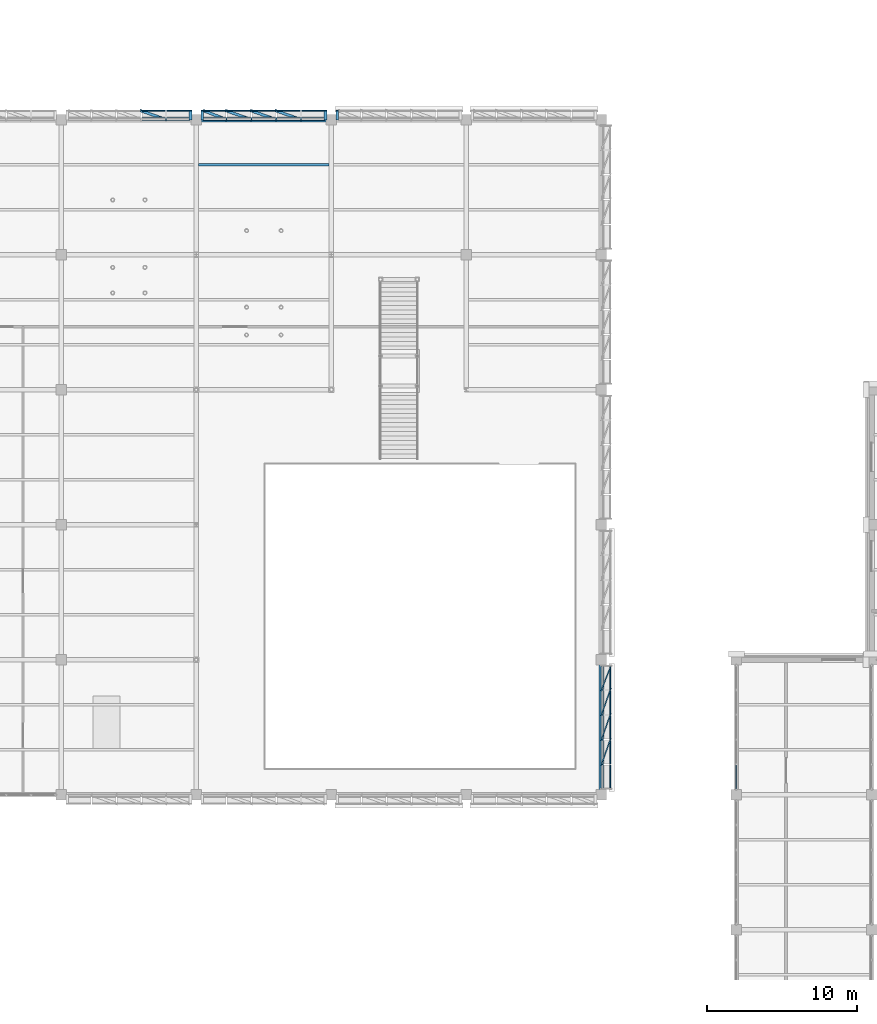
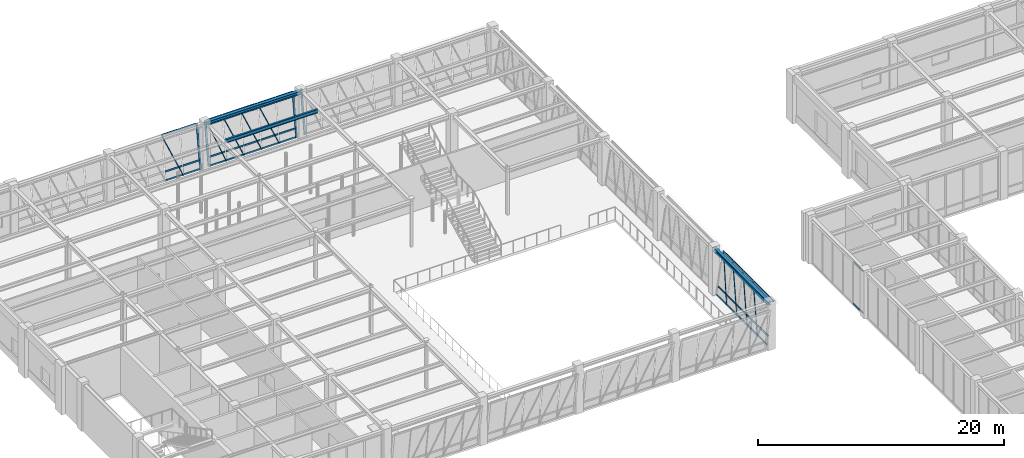
# One storey, part 56 of 92: 51 members, 3 beams, 5 elements without a shape of their own.
"""IFC4 building model written with IfcOpenShell, lengths in metres."""

from ifc_helpers import new_model, si_unit, direction, frame, origin, origin_2d, place, context, subcontext, project, spatial, hollow_rectangle, i_section, extrude, material, material_profile, profile_set, type_object, element, aggregate, save


model = new_model("IFC4")

# Units and contexts
model_context = context("Model", 3, precision=1e-05, world=origin(), true_north=direction((0.0, 1.0)))
body_context = subcontext(model_context, "Body", "Model", "MODEL_VIEW")
ifc_project = project(units=[si_unit("LENGTHUNIT", "METRE"), si_unit("AREAUNIT", "SQUARE_METRE"), si_unit("VOLUMEUNIT", "CUBIC_METRE"), si_unit("PLANEANGLEUNIT", "RADIAN"), si_unit("MASSUNIT", "GRAM", prefix="KILO")], contexts=[model_context])

# Site, building, storey
site_placement = place(None, origin())
site = spatial("IfcSite", under=ifc_project, at=site_placement, CompositionType="ELEMENT")
building_placement = place(site_placement, origin())
building = spatial("IfcBuilding", under=site, at=building_placement, Name="Lykobir Media Centre", CompositionType="ELEMENT")
storey_placement = place(building_placement, frame((0.0, 0.0, 5.39990234375)))
storey = spatial("IfcBuildingStorey", under=building, at=storey_placement, Name="L01", CompositionType="ELEMENT", Elevation=5.39990234375)

# Curtain wall, members
ifc_material_1 = material(Name="Anodized Aluminium AW-6060", Category="aluminium")
curtain_wall_type_1 = type_object("IfcCurtainWallType", Name="CW-V6-CR1", PredefinedType="NOTDEFINED", material=ifc_material_1)
curtain_wall_1_placement = place(storey_placement, origin())
curtain_wall_1 = element("IfcCurtainWall", 1, at=curtain_wall_1_placement, inside=storey, type_object=curtain_wall_type_1, Name="Curtain wall CW2-L01-0058", PredefinedType="NOTDEFINED")
ifc_material_profile_1 = material_profile(ifc_material_1, hollow_rectangle(XDim=0.074951171875, YDim=0.179931640625, WallThickness=0.00390625, at=origin_2d()), Name="ALU MULLION 75x180")
ifc_profile_set_1 = profile_set([ifc_material_profile_1], Name="Anodized Aluminium AW-6060")
member_type_1 = type_object("IfcMemberType", Name="CWM-180", PredefinedType="MULLION", material=ifc_profile_set_1)
member_1_placement = place(storey_placement, frame((81.0, 65.012939453125, 0.0), z_axis=(0.132237817099, 0.374602604658, 0.917706951217), x_axis=(0.942970475976, -0.332876375608, 0.0)))
member_1 = element("IfcMember", 2, at=member_1_placement, type_object=member_type_1, Name="CW2-L01-0058 mullion 2", PredefinedType="MULLION", context=body_context, shape_type="SweptSolid", body=[
    extrude(hollow_rectangle(XDim=0.074951171875, YDim=0.179931640625, WallThickness=0.00390625, at=origin_2d()), origin(), (0.0, 0.0, 1.0), 4.5712890625),
])
member_2_placement = place(storey_placement, frame((81.0, 66.6708984375, 0.0), z_axis=(0.132237817099, 0.374602604658, 0.917706951217), x_axis=(0.942970475976, -0.332876375608, 0.0)))
member_2 = element("IfcMember", 3, at=member_2_placement, type_object=member_type_1, Name="CW2-L01-0058 mullion 3", PredefinedType="MULLION", context=body_context, shape_type="SweptSolid", body=[
    extrude(hollow_rectangle(XDim=0.074951171875, YDim=0.179931640625, WallThickness=0.00390625, at=origin_2d()), origin(), (0.0, 0.0, 1.0), 4.5712890625),
])
member_3_placement = place(storey_placement, frame((81.0, 68.3291015625, 0.0), z_axis=(0.132237817099, 0.374602604658, 0.917706951217), x_axis=(0.942970475976, -0.332876375608, 0.0)))
member_3 = element("IfcMember", 4, at=member_3_placement, type_object=member_type_1, Name="CW2-L01-0058 mullion 4", PredefinedType="MULLION", context=body_context, shape_type="SweptSolid", body=[
    extrude(hollow_rectangle(XDim=0.074951171875, YDim=0.179931640625, WallThickness=0.00390625, at=origin_2d()), origin(), (0.0, 0.0, 1.0), 4.5712890625),
])
member_4_placement = place(storey_placement, frame((81.0, 69.987060546875, 0.0), z_axis=(0.133993559544, 0.34256027137, 0.929891491777), x_axis=(0.931290526487, -0.364277305463, 0.0)))
member_4 = element("IfcMember", 5, at=member_4_placement, type_object=member_type_1, Name="CW2-L01-0058 mullion 5", PredefinedType="MULLION", context=body_context, shape_type="SweptSolid", body=[
    extrude(hollow_rectangle(XDim=0.074951171875, YDim=0.179931640625, WallThickness=0.00390625, at=origin_2d()), origin(), (0.0, 0.0, 1.0), 4.511474609375),
])

curtain_wall_2_placement = place(storey_placement, origin())
curtain_wall_2 = element("IfcCurtainWall", 6, at=curtain_wall_2_placement, inside=storey, type_object=curtain_wall_type_1, Name="Curtain wall CW2-L01-0064", PredefinedType="NOTDEFINED")
member_5_placement = place(storey_placement, frame((53.607421875, 108.0, 0.0), z_axis=(0.0, 0.142622832142, 0.989777110137), x_axis=(0.0, 0.989777110137, -0.142622832142)))
member_5 = element("IfcMember", 7, at=member_5_placement, type_object=member_type_1, Name="CW2-L01-0064 mullion 1", PredefinedType="MULLION", context=body_context, shape_type="SweptSolid", body=[
    extrude(hollow_rectangle(XDim=0.074951171875, YDim=0.179931640625, WallThickness=0.00390625, at=origin_2d()), origin(), (0.0, 0.0, 1.0), 4.23828125),
])
member_6_placement = place(storey_placement, frame((51.987060546875, 108.0, 0.0), z_axis=(-0.374602604658, 0.132237817099, 0.917706951217), x_axis=(-0.865370560596, 0.305482963792, -0.39725804169)))
member_6 = element("IfcMember", 8, at=member_6_placement, type_object=member_type_1, Name="CW2-L01-0064 mullion 2", PredefinedType="MULLION", context=body_context, shape_type="SweptSolid", body=[
    extrude(hollow_rectangle(XDim=0.074951171875, YDim=0.179931640625, WallThickness=0.00390625, at=origin_2d()), origin(), (0.0, 0.0, 1.0), 4.5712890625),
])

curtain_wall_3_placement = place(storey_placement, origin())
curtain_wall_3 = element("IfcCurtainWall", 9, at=curtain_wall_3_placement, inside=storey, type_object=curtain_wall_type_1, Name="Curtain wall CW2-L01-0065", PredefinedType="NOTDEFINED")
member_7_placement = place(storey_placement, frame((62.607421875, 108.0, 0.0), z_axis=(0.0, 0.142622832142, 0.989777110137), x_axis=(0.0, 0.989777110137, -0.142622832142)))
member_7 = element("IfcMember", 10, at=member_7_placement, type_object=member_type_1, Name="CW2-L01-0065 mullion 1", PredefinedType="MULLION", context=body_context, shape_type="SweptSolid", body=[
    extrude(hollow_rectangle(XDim=0.074951171875, YDim=0.179931640625, WallThickness=0.00390625, at=origin_2d()), origin(), (0.0, 0.0, 1.0), 4.23828125),
])
member_8_placement = place(storey_placement, frame((60.987060546875, 108.0, 0.0), z_axis=(-0.374602604658, 0.132237817099, 0.917706951217), x_axis=(-0.865370560596, 0.305482963792, -0.39725804169)))
member_8 = element("IfcMember", 11, at=member_8_placement, type_object=member_type_1, Name="CW2-L01-0065 mullion 2", PredefinedType="MULLION", context=body_context, shape_type="SweptSolid", body=[
    extrude(hollow_rectangle(XDim=0.074951171875, YDim=0.179931640625, WallThickness=0.00390625, at=origin_2d()), origin(), (0.0, 0.0, 1.0), 4.5712890625),
])
member_9_placement = place(storey_placement, frame((59.3291015625, 108.0, 0.0), z_axis=(-0.374602604658, 0.132237817099, 0.917706951217), x_axis=(-0.865370560596, 0.305482963792, -0.39725804169)))
member_9 = element("IfcMember", 12, at=member_9_placement, type_object=member_type_1, Name="CW2-L01-0065 mullion 3", PredefinedType="MULLION", context=body_context, shape_type="SweptSolid", body=[
    extrude(hollow_rectangle(XDim=0.074951171875, YDim=0.179931640625, WallThickness=0.00390625, at=origin_2d()), origin(), (0.0, 0.0, 1.0), 4.5712890625),
])
member_10_placement = place(storey_placement, frame((57.6708984375, 108.0, 0.0), z_axis=(-0.374602604658, 0.132237817099, 0.917706951217), x_axis=(-0.865370560596, 0.305482963792, -0.39725804169)))
member_10 = element("IfcMember", 13, at=member_10_placement, type_object=member_type_1, Name="CW2-L01-0065 mullion 4", PredefinedType="MULLION", context=body_context, shape_type="SweptSolid", body=[
    extrude(hollow_rectangle(XDim=0.074951171875, YDim=0.179931640625, WallThickness=0.00390625, at=origin_2d()), origin(), (0.0, 0.0, 1.0), 4.5712890625),
])
member_11_placement = place(storey_placement, frame((56.012939453125, 108.0, 0.0), z_axis=(-0.34256027137, 0.133993559544, 0.929891491777), x_axis=(-0.865999136953, 0.338738366998, -0.367833948298)))
member_11 = element("IfcMember", 14, at=member_11_placement, type_object=member_type_1, Name="CW2-L01-0065 mullion 5", PredefinedType="MULLION", context=body_context, shape_type="SweptSolid", body=[
    extrude(hollow_rectangle(XDim=0.074951171875, YDim=0.179931640625, WallThickness=0.00390625, at=origin_2d()), origin(), (0.0, 0.0, 1.0), 4.511474609375),
])
member_12_placement = place(storey_placement, frame((54.392578125, 108.0, 0.0), z_axis=(0.0, 0.142622832142, 0.989777110137), x_axis=(0.0, 0.989777110137, -0.142622832142)))
member_12 = element("IfcMember", 15, at=member_12_placement, type_object=member_type_1, Name="CW2-L01-0065 mullion 6", PredefinedType="MULLION", context=body_context, shape_type="SweptSolid", body=[
    extrude(hollow_rectangle(XDim=0.074951171875, YDim=0.179931640625, WallThickness=0.00390625, at=origin_2d()), origin(), (0.0, 0.0, 1.0), 4.23828125),
])

# Curtain wall, member
curtain_wall_4_placement = place(storey_placement, origin())
curtain_wall_4 = element("IfcCurtainWall", 16, at=curtain_wall_4_placement, inside=storey, type_object=curtain_wall_type_1, Name="Curtain wall CW2-L01-0066", PredefinedType="NOTDEFINED")
member_13_placement = place(storey_placement, frame((63.392578125, 108.0, 0.0), z_axis=(0.0, 0.142622832142, 0.989777110137), x_axis=(0.0, 0.989777110137, -0.142622832142)))
member_13 = element("IfcMember", 17, at=member_13_placement, type_object=member_type_1, Name="CW2-L01-0066 mullion 6", PredefinedType="MULLION", context=body_context, shape_type="SweptSolid", body=[
    extrude(hollow_rectangle(XDim=0.074951171875, YDim=0.179931640625, WallThickness=0.00390625, at=origin_2d()), origin(), (0.0, 0.0, 1.0), 4.23828125),
])
aggregate(curtain_wall_4, [member_13])

# Curtain wall, members
curtain_wall_type_2 = type_object("IfcCurtainWallType", Name="CW-BRIDGE", PredefinedType="NOTDEFINED", material=ifc_material_1)
curtain_wall_5_placement = place(storey_placement, origin())
curtain_wall_5 = element("IfcCurtainWall", 18, at=curtain_wall_5_placement, inside=storey, type_object=curtain_wall_type_2, Name="Curtain wall CW2-L01-0042", PredefinedType="NOTDEFINED")
ifc_material_profile_2 = material_profile(ifc_material_1, hollow_rectangle(XDim=0.06494140625, YDim=0.1201171875, WallThickness=0.0029296875, at=origin_2d()), Name="ALU TRANSOM 65x120")
ifc_profile_set_2 = profile_set([ifc_material_profile_2], Name="Anodized Aluminium AW-6060")
member_type_2 = type_object("IfcMemberType", Name="CWT-120", PredefinedType="USERDEFINED", material=ifc_profile_set_2)
member_14_placement = place(storey_placement, frame((90.0, 63.419921875, 0.03271484375), z_axis=(0.0, 1.0, 0.0), x_axis=(-1.0, 0.0, 0.0)))
member_14 = element("IfcMember", 19, at=member_14_placement, type_object=member_type_2, Name="CW2-L01-0042 transom 1.1", ObjectType="TRANSOM", PredefinedType="USERDEFINED", context=body_context, shape_type="SweptSolid", body=[
    extrude(hollow_rectangle(XDim=0.06494140625, YDim=0.1201171875, WallThickness=0.0029296875, at=origin_2d()), origin(), (0.0, 0.0, 1.0), 1.560546875),
])
member_15_placement = place(storey_placement, frame((90.0, 63.419921875, 4.16259765625), z_axis=(0.0, 1.0, 0.0), x_axis=(-1.0, 0.0, 0.0)))
member_15 = element("IfcMember", 20, at=member_15_placement, type_object=member_type_2, Name="CW2-L01-0042 transom 1.2", ObjectType="TRANSOM", PredefinedType="USERDEFINED", context=body_context, shape_type="SweptSolid", body=[
    extrude(hollow_rectangle(XDim=0.06494140625, YDim=0.1201171875, WallThickness=0.0029296875, at=origin_2d()), origin(), (0.0, 0.0, 1.0), 1.560546875),
])
aggregate(curtain_wall_5, [member_14, member_15])

# Member
ifc_material_profile_3 = material_profile(ifc_material_1, hollow_rectangle(XDim=0.074951171875, YDim=0.14990234375, WallThickness=0.00341796875, at=origin_2d()), Name="ALU TRANSOM 75x150")
ifc_profile_set_3 = profile_set([ifc_material_profile_3], Name="Anodized Aluminium AW-6060")
member_type_3 = type_object("IfcMemberType", Name="CWT-150", PredefinedType="USERDEFINED", material=ifc_profile_set_3)
member_16_placement = place(storey_placement, frame((81.00537109375, 63.429931640625, 0.037109375), z_axis=(0.0, 1.0, 0.0), x_axis=(-0.989776230908, 0.0, 0.142628933706)))
member_16 = element("IfcMember", 21, at=member_16_placement, type_object=member_type_3, Name="CW2-L01-0058 transom 1.1", ObjectType="TRANSOM", PredefinedType="USERDEFINED", context=body_context, shape_type="SweptSolid", body=[
    extrude(hollow_rectangle(XDim=0.074951171875, YDim=0.14990234375, WallThickness=0.00341796875, at=origin_2d()), origin(), (0.0, 0.0, 1.0), 1.545654296875),
])

member_17_placement = place(storey_placement, frame((81.12109375, 63.429931640625, 0.84130859375), z_axis=(0.0, 1.0, 0.0), x_axis=(-0.989776230908, 0.0, 0.142628933706)))
member_17 = element("IfcMember", 22, at=member_17_placement, type_object=member_type_3, Name="CW2-L01-0058 transom 1.2", ObjectType="TRANSOM", PredefinedType="USERDEFINED", context=body_context, shape_type="SweptSolid", body=[
    extrude(hollow_rectangle(XDim=0.074951171875, YDim=0.14990234375, WallThickness=0.00341796875, at=origin_2d()), origin(), (0.0, 0.0, 1.0), 1.545654296875),
])

member_18_placement = place(storey_placement, frame((81.59912109375, 63.429931640625, 4.157958984375), z_axis=(0.0, 1.0, 0.0), x_axis=(-0.989776230908, 0.0, 0.142628933706)))
member_18 = element("IfcMember", 23, at=member_18_placement, type_object=member_type_3, Name="CW2-L01-0058 transom 1.3", ObjectType="TRANSOM", PredefinedType="USERDEFINED", context=body_context, shape_type="SweptSolid", body=[
    extrude(hollow_rectangle(XDim=0.074951171875, YDim=0.14990234375, WallThickness=0.00341796875, at=origin_2d()), origin(), (0.0, 0.0, 1.0), 1.545654296875),
])

member_19_placement = place(storey_placement, frame((81.00537109375, 65.050537109375, 0.037109375), z_axis=(0.0, 1.0, 0.0), x_axis=(-0.989776230908, 0.0, 0.142628933706)))
member_19 = element("IfcMember", 24, at=member_19_placement, type_object=member_type_3, Name="CW2-L01-0058 transom 2.1", ObjectType="TRANSOM", PredefinedType="USERDEFINED", context=body_context, shape_type="SweptSolid", body=[
    extrude(hollow_rectangle(XDim=0.074951171875, YDim=0.14990234375, WallThickness=0.00341796875, at=origin_2d()), origin(), (0.0, 0.0, 1.0), 1.5830078125),
])

member_20_placement = place(storey_placement, frame((81.12109375, 65.050537109375, 0.84130859375), z_axis=(0.0, 1.0, 0.0), x_axis=(-0.989776230908, 0.0, 0.142628933706)))
member_20 = element("IfcMember", 25, at=member_20_placement, type_object=member_type_3, Name="CW2-L01-0058 transom 2.2", ObjectType="TRANSOM", PredefinedType="USERDEFINED", context=body_context, shape_type="SweptSolid", body=[
    extrude(hollow_rectangle(XDim=0.074951171875, YDim=0.14990234375, WallThickness=0.00341796875, at=origin_2d()), origin(), (0.0, 0.0, 1.0), 1.5830078125),
])

member_21_placement = place(storey_placement, frame((81.59912109375, 65.050537109375, 4.157958984375), z_axis=(0.0, 1.0, 0.0), x_axis=(-0.989776230908, 0.0, 0.142628933706)))
member_21 = element("IfcMember", 26, at=member_21_placement, type_object=member_type_3, Name="CW2-L01-0058 transom 2.3", ObjectType="TRANSOM", PredefinedType="USERDEFINED", context=body_context, shape_type="SweptSolid", body=[
    extrude(hollow_rectangle(XDim=0.074951171875, YDim=0.14990234375, WallThickness=0.00341796875, at=origin_2d()), origin(), (0.0, 0.0, 1.0), 1.5830078125),
])

member_22_placement = place(storey_placement, frame((81.00537109375, 66.70849609375, 0.037109375), z_axis=(0.0, 1.0, 0.0), x_axis=(-0.989776230908, 0.0, 0.142628933706)))
member_22 = element("IfcMember", 27, at=member_22_placement, type_object=member_type_3, Name="CW2-L01-0058 transom 3.1", ObjectType="TRANSOM", PredefinedType="USERDEFINED", context=body_context, shape_type="SweptSolid", body=[
    extrude(hollow_rectangle(XDim=0.074951171875, YDim=0.14990234375, WallThickness=0.00341796875, at=origin_2d()), origin(), (0.0, 0.0, 1.0), 1.5830078125),
])

member_23_placement = place(storey_placement, frame((81.12109375, 66.70849609375, 0.84130859375), z_axis=(0.0, 1.0, 0.0), x_axis=(-0.989776230908, 0.0, 0.142628933706)))
member_23 = element("IfcMember", 28, at=member_23_placement, type_object=member_type_3, Name="CW2-L01-0058 transom 3.2", ObjectType="TRANSOM", PredefinedType="USERDEFINED", context=body_context, shape_type="SweptSolid", body=[
    extrude(hollow_rectangle(XDim=0.074951171875, YDim=0.14990234375, WallThickness=0.00341796875, at=origin_2d()), origin(), (0.0, 0.0, 1.0), 1.5830078125),
])

member_24_placement = place(storey_placement, frame((81.59912109375, 66.70849609375, 4.157958984375), z_axis=(0.0, 1.0, 0.0), x_axis=(-0.989776230908, 0.0, 0.142628933706)))
member_24 = element("IfcMember", 29, at=member_24_placement, type_object=member_type_3, Name="CW2-L01-0058 transom 3.3", ObjectType="TRANSOM", PredefinedType="USERDEFINED", context=body_context, shape_type="SweptSolid", body=[
    extrude(hollow_rectangle(XDim=0.074951171875, YDim=0.14990234375, WallThickness=0.00341796875, at=origin_2d()), origin(), (0.0, 0.0, 1.0), 1.5830078125),
])

member_25_placement = place(storey_placement, frame((81.00537109375, 68.366455078125, 0.037109375), z_axis=(0.0, 1.0, 0.0), x_axis=(-0.989776230908, 0.0, 0.142628933706)))
member_25 = element("IfcMember", 30, at=member_25_placement, type_object=member_type_3, Name="CW2-L01-0058 transom 4.1", ObjectType="TRANSOM", PredefinedType="USERDEFINED", context=body_context, shape_type="SweptSolid", body=[
    extrude(hollow_rectangle(XDim=0.074951171875, YDim=0.14990234375, WallThickness=0.00341796875, at=origin_2d()), origin(), (0.0, 0.0, 1.0), 1.5830078125),
])

member_26_placement = place(storey_placement, frame((81.12109375, 68.366455078125, 0.84130859375), z_axis=(0.0, 1.0, 0.0), x_axis=(-0.989776230908, 0.0, 0.142628933706)))
member_26 = element("IfcMember", 31, at=member_26_placement, type_object=member_type_3, Name="CW2-L01-0058 transom 4.2", ObjectType="TRANSOM", PredefinedType="USERDEFINED", context=body_context, shape_type="SweptSolid", body=[
    extrude(hollow_rectangle(XDim=0.074951171875, YDim=0.14990234375, WallThickness=0.00341796875, at=origin_2d()), origin(), (0.0, 0.0, 1.0), 1.5830078125),
])

member_27_placement = place(storey_placement, frame((81.59912109375, 68.366455078125, 4.157958984375), z_axis=(0.0, 1.0, 0.0), x_axis=(-0.989776230908, 0.0, 0.142628933706)))
member_27 = element("IfcMember", 32, at=member_27_placement, type_object=member_type_3, Name="CW2-L01-0058 transom 4.3", ObjectType="TRANSOM", PredefinedType="USERDEFINED", context=body_context, shape_type="SweptSolid", body=[
    extrude(hollow_rectangle(XDim=0.074951171875, YDim=0.14990234375, WallThickness=0.00341796875, at=origin_2d()), origin(), (0.0, 0.0, 1.0), 1.5830078125),
])

member_28_placement = place(storey_placement, frame((81.00537109375, 70.0244140625, 0.037109375), z_axis=(0.0, 1.0, 0.0), x_axis=(-0.989776230908, 0.0, 0.142628933706)))
member_28 = element("IfcMember", 33, at=member_28_placement, type_object=member_type_3, Name="CW2-L01-0058 transom 5.1", ObjectType="TRANSOM", PredefinedType="USERDEFINED", context=body_context, shape_type="SweptSolid", body=[
    extrude(hollow_rectangle(XDim=0.074951171875, YDim=0.14990234375, WallThickness=0.00341796875, at=origin_2d()), origin(), (0.0, 0.0, 1.0), 1.545654296875),
])

member_29_placement = place(storey_placement, frame((81.12109375, 70.0244140625, 0.84130859375), z_axis=(0.0, 1.0, 0.0), x_axis=(-0.989776230908, 0.0, 0.142628933706)))
member_29 = element("IfcMember", 34, at=member_29_placement, type_object=member_type_3, Name="CW2-L01-0058 transom 5.2", ObjectType="TRANSOM", PredefinedType="USERDEFINED", context=body_context, shape_type="SweptSolid", body=[
    extrude(hollow_rectangle(XDim=0.074951171875, YDim=0.14990234375, WallThickness=0.00341796875, at=origin_2d()), origin(), (0.0, 0.0, 1.0), 1.545654296875),
])

member_30_placement = place(storey_placement, frame((81.59912109375, 70.0244140625, 4.157958984375), z_axis=(0.0, 1.0, 0.0), x_axis=(-0.989776230908, 0.0, 0.142628933706)))
member_30 = element("IfcMember", 35, at=member_30_placement, type_object=member_type_3, Name="CW2-L01-0058 transom 5.3", ObjectType="TRANSOM", PredefinedType="USERDEFINED", context=body_context, shape_type="SweptSolid", body=[
    extrude(hollow_rectangle(XDim=0.074951171875, YDim=0.14990234375, WallThickness=0.00341796875, at=origin_2d()), origin(), (0.0, 0.0, 1.0), 1.545654296875),
])

aggregate(curtain_wall_1, [member_1, member_2, member_3, member_4, member_16, member_17, member_18, member_19, member_20, member_21, member_22, member_23, member_24, member_25, member_26, member_27, member_28, member_29, member_30])

member_31_placement = place(storey_placement, frame((53.570068359375, 108.00537109375, 0.037109375), z_axis=(-1.0, 0.0, 0.0), x_axis=(0.0, -0.989776230908, 0.142628933706)))
member_31 = element("IfcMember", 36, at=member_31_placement, type_object=member_type_3, Name="CW2-L01-0064 transom 1.1", ObjectType="TRANSOM", PredefinedType="USERDEFINED", context=body_context, shape_type="SweptSolid", body=[
    extrude(hollow_rectangle(XDim=0.074951171875, YDim=0.14990234375, WallThickness=0.00341796875, at=origin_2d()), origin(), (0.0, 0.0, 1.0), 1.545654296875),
])

member_32_placement = place(storey_placement, frame((53.570068359375, 108.12109375, 0.84130859375), z_axis=(-1.0, 0.0, 0.0), x_axis=(0.0, -0.989776230908, 0.142628933706)))
member_32 = element("IfcMember", 37, at=member_32_placement, type_object=member_type_3, Name="CW2-L01-0064 transom 1.2", ObjectType="TRANSOM", PredefinedType="USERDEFINED", context=body_context, shape_type="SweptSolid", body=[
    extrude(hollow_rectangle(XDim=0.074951171875, YDim=0.14990234375, WallThickness=0.00341796875, at=origin_2d()), origin(), (0.0, 0.0, 1.0), 1.545654296875),
])

member_33_placement = place(storey_placement, frame((53.570068359375, 108.59912109375, 4.157958984375), z_axis=(-1.0, 0.0, 0.0), x_axis=(0.0, -0.989776230908, 0.142628933706)))
member_33 = element("IfcMember", 38, at=member_33_placement, type_object=member_type_3, Name="CW2-L01-0064 transom 1.3", ObjectType="TRANSOM", PredefinedType="USERDEFINED", context=body_context, shape_type="SweptSolid", body=[
    extrude(hollow_rectangle(XDim=0.074951171875, YDim=0.14990234375, WallThickness=0.00341796875, at=origin_2d()), origin(), (0.0, 0.0, 1.0), 1.545654296875),
])

member_34_placement = place(storey_placement, frame((51.949462890625, 108.00537109375, 0.037109375), z_axis=(-1.0, 0.0, 0.0), x_axis=(0.0, -0.989776230908, 0.142628933706)))
member_34 = element("IfcMember", 39, at=member_34_placement, type_object=member_type_3, Name="CW2-L01-0064 transom 2.1", ObjectType="TRANSOM", PredefinedType="USERDEFINED", context=body_context, shape_type="SweptSolid", body=[
    extrude(hollow_rectangle(XDim=0.074951171875, YDim=0.14990234375, WallThickness=0.00341796875, at=origin_2d()), origin(), (0.0, 0.0, 1.0), 1.5830078125),
])

member_35_placement = place(storey_placement, frame((51.949462890625, 108.12109375, 0.84130859375), z_axis=(-1.0, 0.0, 0.0), x_axis=(0.0, -0.989776230908, 0.142628933706)))
member_35 = element("IfcMember", 40, at=member_35_placement, type_object=member_type_3, Name="CW2-L01-0064 transom 2.2", ObjectType="TRANSOM", PredefinedType="USERDEFINED", context=body_context, shape_type="SweptSolid", body=[
    extrude(hollow_rectangle(XDim=0.074951171875, YDim=0.14990234375, WallThickness=0.00341796875, at=origin_2d()), origin(), (0.0, 0.0, 1.0), 1.5830078125),
])

member_36_placement = place(storey_placement, frame((51.949462890625, 108.59912109375, 4.157958984375), z_axis=(-1.0, 0.0, 0.0), x_axis=(0.0, -0.989776230908, 0.142628933706)))
member_36 = element("IfcMember", 41, at=member_36_placement, type_object=member_type_3, Name="CW2-L01-0064 transom 2.3", ObjectType="TRANSOM", PredefinedType="USERDEFINED", context=body_context, shape_type="SweptSolid", body=[
    extrude(hollow_rectangle(XDim=0.074951171875, YDim=0.14990234375, WallThickness=0.00341796875, at=origin_2d()), origin(), (0.0, 0.0, 1.0), 1.5830078125),
])

aggregate(curtain_wall_2, [member_5, member_6, member_31, member_32, member_33, member_34, member_35, member_36])

member_37_placement = place(storey_placement, frame((62.570068359375, 108.00537109375, 0.037109375), z_axis=(-1.0, 0.0, 0.0), x_axis=(0.0, -0.989776230908, 0.142628933706)))
member_37 = element("IfcMember", 42, at=member_37_placement, type_object=member_type_3, Name="CW2-L01-0065 transom 1.1", ObjectType="TRANSOM", PredefinedType="USERDEFINED", context=body_context, shape_type="SweptSolid", body=[
    extrude(hollow_rectangle(XDim=0.074951171875, YDim=0.14990234375, WallThickness=0.00341796875, at=origin_2d()), origin(), (0.0, 0.0, 1.0), 1.545654296875),
])

member_38_placement = place(storey_placement, frame((62.570068359375, 108.12109375, 0.84130859375), z_axis=(-1.0, 0.0, 0.0), x_axis=(0.0, -0.989776230908, 0.142628933706)))
member_38 = element("IfcMember", 43, at=member_38_placement, type_object=member_type_3, Name="CW2-L01-0065 transom 1.2", ObjectType="TRANSOM", PredefinedType="USERDEFINED", context=body_context, shape_type="SweptSolid", body=[
    extrude(hollow_rectangle(XDim=0.074951171875, YDim=0.14990234375, WallThickness=0.00341796875, at=origin_2d()), origin(), (0.0, 0.0, 1.0), 1.545654296875),
])

member_39_placement = place(storey_placement, frame((62.570068359375, 108.59912109375, 4.157958984375), z_axis=(-1.0, 0.0, 0.0), x_axis=(0.0, -0.989776230908, 0.142628933706)))
member_39 = element("IfcMember", 44, at=member_39_placement, type_object=member_type_3, Name="CW2-L01-0065 transom 1.3", ObjectType="TRANSOM", PredefinedType="USERDEFINED", context=body_context, shape_type="SweptSolid", body=[
    extrude(hollow_rectangle(XDim=0.074951171875, YDim=0.14990234375, WallThickness=0.00341796875, at=origin_2d()), origin(), (0.0, 0.0, 1.0), 1.545654296875),
])

member_40_placement = place(storey_placement, frame((60.949462890625, 108.00537109375, 0.037109375), z_axis=(-1.0, 0.0, 0.0), x_axis=(0.0, -0.989776230908, 0.142628933706)))
member_40 = element("IfcMember", 45, at=member_40_placement, type_object=member_type_3, Name="CW2-L01-0065 transom 2.1", ObjectType="TRANSOM", PredefinedType="USERDEFINED", context=body_context, shape_type="SweptSolid", body=[
    extrude(hollow_rectangle(XDim=0.074951171875, YDim=0.14990234375, WallThickness=0.00341796875, at=origin_2d()), origin(), (0.0, 0.0, 1.0), 1.5830078125),
])

member_41_placement = place(storey_placement, frame((60.949462890625, 108.12109375, 0.84130859375), z_axis=(-1.0, 0.0, 0.0), x_axis=(0.0, -0.989776230908, 0.142628933706)))
member_41 = element("IfcMember", 46, at=member_41_placement, type_object=member_type_3, Name="CW2-L01-0065 transom 2.2", ObjectType="TRANSOM", PredefinedType="USERDEFINED", context=body_context, shape_type="SweptSolid", body=[
    extrude(hollow_rectangle(XDim=0.074951171875, YDim=0.14990234375, WallThickness=0.00341796875, at=origin_2d()), origin(), (0.0, 0.0, 1.0), 1.5830078125),
])

member_42_placement = place(storey_placement, frame((60.949462890625, 108.59912109375, 4.157958984375), z_axis=(-1.0, 0.0, 0.0), x_axis=(0.0, -0.989776230908, 0.142628933706)))
member_42 = element("IfcMember", 47, at=member_42_placement, type_object=member_type_3, Name="CW2-L01-0065 transom 2.3", ObjectType="TRANSOM", PredefinedType="USERDEFINED", context=body_context, shape_type="SweptSolid", body=[
    extrude(hollow_rectangle(XDim=0.074951171875, YDim=0.14990234375, WallThickness=0.00341796875, at=origin_2d()), origin(), (0.0, 0.0, 1.0), 1.5830078125),
])

member_43_placement = place(storey_placement, frame((59.29150390625, 108.00537109375, 0.037109375), z_axis=(-1.0, 0.0, 0.0), x_axis=(0.0, -0.989776230908, 0.142628933706)))
member_43 = element("IfcMember", 48, at=member_43_placement, type_object=member_type_3, Name="CW2-L01-0065 transom 3.1", ObjectType="TRANSOM", PredefinedType="USERDEFINED", context=body_context, shape_type="SweptSolid", body=[
    extrude(hollow_rectangle(XDim=0.074951171875, YDim=0.14990234375, WallThickness=0.00341796875, at=origin_2d()), origin(), (0.0, 0.0, 1.0), 1.5830078125),
])

member_44_placement = place(storey_placement, frame((59.29150390625, 108.12109375, 0.84130859375), z_axis=(-1.0, 0.0, 0.0), x_axis=(0.0, -0.989776230908, 0.142628933706)))
member_44 = element("IfcMember", 49, at=member_44_placement, type_object=member_type_3, Name="CW2-L01-0065 transom 3.2", ObjectType="TRANSOM", PredefinedType="USERDEFINED", context=body_context, shape_type="SweptSolid", body=[
    extrude(hollow_rectangle(XDim=0.074951171875, YDim=0.14990234375, WallThickness=0.00341796875, at=origin_2d()), origin(), (0.0, 0.0, 1.0), 1.5830078125),
])

member_45_placement = place(storey_placement, frame((59.29150390625, 108.59912109375, 4.157958984375), z_axis=(-1.0, 0.0, 0.0), x_axis=(0.0, -0.989776230908, 0.142628933706)))
member_45 = element("IfcMember", 50, at=member_45_placement, type_object=member_type_3, Name="CW2-L01-0065 transom 3.3", ObjectType="TRANSOM", PredefinedType="USERDEFINED", context=body_context, shape_type="SweptSolid", body=[
    extrude(hollow_rectangle(XDim=0.074951171875, YDim=0.14990234375, WallThickness=0.00341796875, at=origin_2d()), origin(), (0.0, 0.0, 1.0), 1.5830078125),
])

member_46_placement = place(storey_placement, frame((57.633544921875, 108.00537109375, 0.037109375), z_axis=(-1.0, 0.0, 0.0), x_axis=(0.0, -0.989776230908, 0.142628933706)))
member_46 = element("IfcMember", 51, at=member_46_placement, type_object=member_type_3, Name="CW2-L01-0065 transom 4.1", ObjectType="TRANSOM", PredefinedType="USERDEFINED", context=body_context, shape_type="SweptSolid", body=[
    extrude(hollow_rectangle(XDim=0.074951171875, YDim=0.14990234375, WallThickness=0.00341796875, at=origin_2d()), origin(), (0.0, 0.0, 1.0), 1.5830078125),
])

member_47_placement = place(storey_placement, frame((57.633544921875, 108.12109375, 0.84130859375), z_axis=(-1.0, 0.0, 0.0), x_axis=(0.0, -0.989776230908, 0.142628933706)))
member_47 = element("IfcMember", 52, at=member_47_placement, type_object=member_type_3, Name="CW2-L01-0065 transom 4.2", ObjectType="TRANSOM", PredefinedType="USERDEFINED", context=body_context, shape_type="SweptSolid", body=[
    extrude(hollow_rectangle(XDim=0.074951171875, YDim=0.14990234375, WallThickness=0.00341796875, at=origin_2d()), origin(), (0.0, 0.0, 1.0), 1.5830078125),
])

member_48_placement = place(storey_placement, frame((57.633544921875, 108.59912109375, 4.157958984375), z_axis=(-1.0, 0.0, 0.0), x_axis=(0.0, -0.989776230908, 0.142628933706)))
member_48 = element("IfcMember", 53, at=member_48_placement, type_object=member_type_3, Name="CW2-L01-0065 transom 4.3", ObjectType="TRANSOM", PredefinedType="USERDEFINED", context=body_context, shape_type="SweptSolid", body=[
    extrude(hollow_rectangle(XDim=0.074951171875, YDim=0.14990234375, WallThickness=0.00341796875, at=origin_2d()), origin(), (0.0, 0.0, 1.0), 1.5830078125),
])

member_49_placement = place(storey_placement, frame((55.9755859375, 108.00537109375, 0.037109375), z_axis=(-1.0, 0.0, 0.0), x_axis=(0.0, -0.989776230908, 0.142628933706)))
member_49 = element("IfcMember", 54, at=member_49_placement, type_object=member_type_3, Name="CW2-L01-0065 transom 5.1", ObjectType="TRANSOM", PredefinedType="USERDEFINED", context=body_context, shape_type="SweptSolid", body=[
    extrude(hollow_rectangle(XDim=0.074951171875, YDim=0.14990234375, WallThickness=0.00341796875, at=origin_2d()), origin(), (0.0, 0.0, 1.0), 1.545654296875),
])

member_50_placement = place(storey_placement, frame((55.9755859375, 108.12109375, 0.84130859375), z_axis=(-1.0, 0.0, 0.0), x_axis=(0.0, -0.989776230908, 0.142628933706)))
member_50 = element("IfcMember", 55, at=member_50_placement, type_object=member_type_3, Name="CW2-L01-0065 transom 5.2", ObjectType="TRANSOM", PredefinedType="USERDEFINED", context=body_context, shape_type="SweptSolid", body=[
    extrude(hollow_rectangle(XDim=0.074951171875, YDim=0.14990234375, WallThickness=0.00341796875, at=origin_2d()), origin(), (0.0, 0.0, 1.0), 1.545654296875),
])

member_51_placement = place(storey_placement, frame((55.9755859375, 108.59912109375, 4.157958984375), z_axis=(-1.0, 0.0, 0.0), x_axis=(0.0, -0.989776230908, 0.142628933706)))
member_51 = element("IfcMember", 56, at=member_51_placement, type_object=member_type_3, Name="CW2-L01-0065 transom 5.3", ObjectType="TRANSOM", PredefinedType="USERDEFINED", context=body_context, shape_type="SweptSolid", body=[
    extrude(hollow_rectangle(XDim=0.074951171875, YDim=0.14990234375, WallThickness=0.00341796875, at=origin_2d()), origin(), (0.0, 0.0, 1.0), 1.545654296875),
])

aggregate(curtain_wall_3, [member_7, member_8, member_9, member_10, member_11, member_12, member_37, member_38, member_39, member_40, member_41, member_42, member_43, member_44, member_45, member_46, member_47, member_48, member_49, member_50, member_51])

# Beams
ifc_material_2 = material(Name="Steel S355", Category="steel")
ifc_material_profile_4 = material_profile(ifc_material_2, i_section(OverallWidth=0.169921875, OverallDepth=0.360107421875, WebThickness=0.008056640625, FlangeThickness=0.0126953125, at=origin_2d()), Name="IPE 360")
ifc_profile_set_4 = profile_set([ifc_material_profile_4], Name="Steel S355")
beam_type_1 = type_object("IfcBeamType", Name="JS-IPE360", PredefinedType="JOIST", material=ifc_profile_set_4)
beam_1_placement = place(storey_placement, frame((54.14990234375, 105.0, 4.380126953125), z_axis=(1.0, 0.0, 0.0), x_axis=(0.0, 1.0, 0.0)))
element("IfcBeam", 57, at=beam_1_placement, inside=storey, type_object=beam_type_1, Name="Beam BM-L01-0542-1050-0628-1050-978", PredefinedType="JOIST", context=body_context, shape_type="SweptSolid", body=[
    extrude(i_section(OverallWidth=0.169921875, OverallDepth=0.360107421875, WebThickness=0.008056640625, FlangeThickness=0.0126953125, at=origin_2d()), origin(), (0.0, 0.0, 1.0), 8.7001953125),
])
ifc_material_profile_5 = material_profile(ifc_material_2, i_section(OverallWidth=0.300048828125, OverallDepth=0.35009765625, WebThickness=0.010009765625, FlangeThickness=0.017578125, at=origin_2d()), Name="HEA 360")
ifc_profile_set_5 = profile_set([ifc_material_profile_5], Name="Steel S355")
beam_type_2 = type_object("IfcBeamType", Name="SP-HEA360", PredefinedType="SPANDREL", material=ifc_profile_set_5)
beam_2_placement = place(storey_placement, frame((54.0, 108.0, 4.385009765625), z_axis=(1.0, 0.0, 0.0), x_axis=(0.0, 1.0, 0.0)))
element("IfcBeam", 58, at=beam_2_placement, inside=storey, type_object=beam_type_2, Name="Beam BM-L01-0540-1080-0630-1080-978", PredefinedType="SPANDREL", context=body_context, shape_type="SweptSolid", body=[
    extrude(i_section(OverallWidth=0.300048828125, OverallDepth=0.35009765625, WebThickness=0.010009765625, FlangeThickness=0.017578125, at=origin_2d()), origin(), (0.0, 0.0, 1.0), 9.0),
])
ifc_material_profile_6 = material_profile(ifc_material_2, i_section(OverallWidth=0.300048828125, OverallDepth=0.35009765625, WebThickness=0.010009765625, FlangeThickness=0.017578125, at=origin_2d()), Name="HEA 360")
ifc_profile_set_6 = profile_set([ifc_material_profile_6], Name="Steel S355")
beam_type_3 = type_object("IfcBeamType", Name="SP-HEA360-E", PredefinedType="SPANDREL", material=ifc_profile_set_6)
beam_3_placement = place(storey_placement, frame((81.0, 63.0, 4.385009765625), z_axis=(0.0, 1.0, 0.0), x_axis=(-1.0, 0.0, 0.0)))
element("IfcBeam", 59, at=beam_3_placement, inside=storey, type_object=beam_type_3, Name="Beam BM-L01-0810-0630-0810-0720-978", PredefinedType="SPANDREL", context=body_context, shape_type="SweptSolid", body=[
    extrude(i_section(OverallWidth=0.300048828125, OverallDepth=0.35009765625, WebThickness=0.010009765625, FlangeThickness=0.017578125, at=origin_2d()), origin(), (0.0, 0.0, 1.0), 9.0),
])

save(model, "model.ifc")
